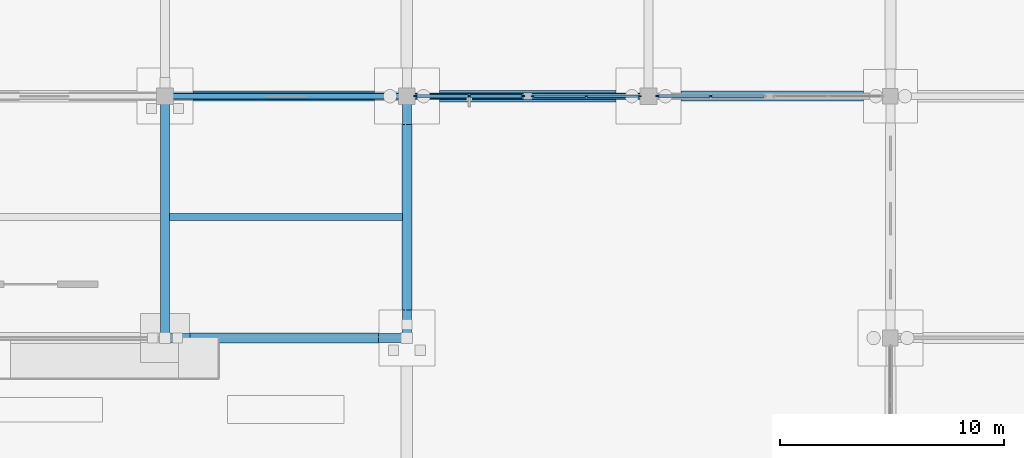
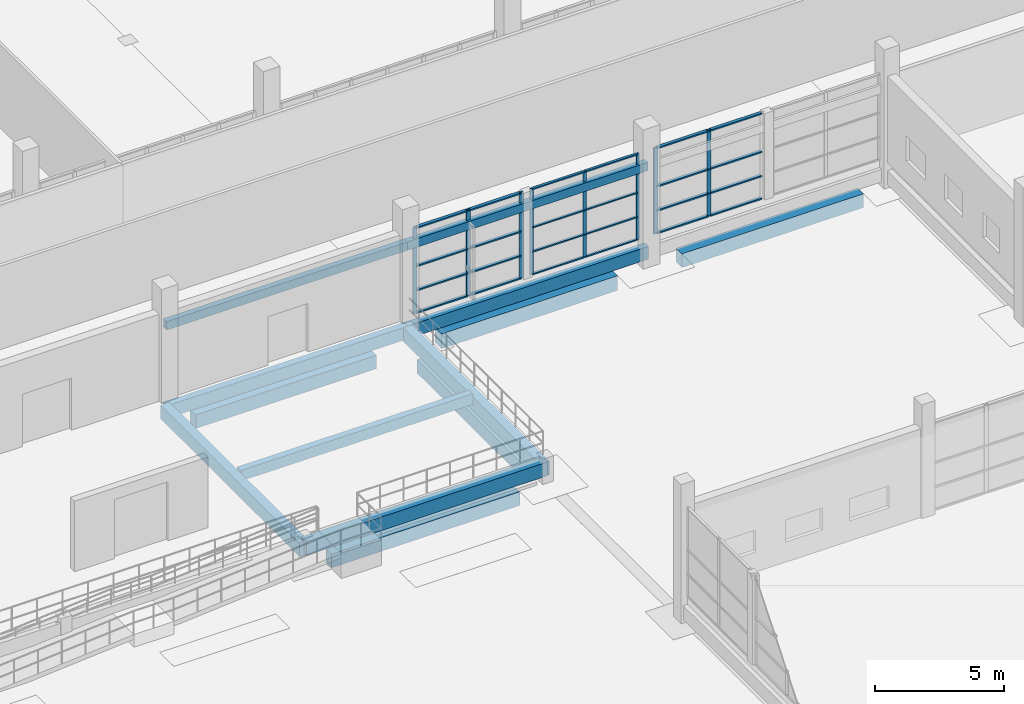
# One storey, part 35 of 138: 32 members, 13 beams, 3 elements without a shape of their own.
"""IFC4 building model written with IfcOpenShell, lengths in metres."""

from ifc_helpers import new_model, si_unit, direction, frame, origin, origin_2d, place, context, subcontext, project, spatial, rectangle, extrude, material, material_profile, profile_set, type_object, element, aggregate, save


model = new_model("IFC4")

# Units and contexts
model_context = context("Model", 3, precision=1e-05, world=origin(), true_north=direction((0.0, 1.0)))
body_context = subcontext(model_context, "Body", "Model", "MODEL_VIEW")
ifc_project = project(units=[si_unit("LENGTHUNIT", "METRE"), si_unit("AREAUNIT", "SQUARE_METRE"), si_unit("VOLUMEUNIT", "CUBIC_METRE"), si_unit("PLANEANGLEUNIT", "RADIAN"), si_unit("MASSUNIT", "GRAM", prefix="KILO")], contexts=[model_context])

# Site, building, storey
site_placement = place(None, origin())
site = spatial("IfcSite", under=ifc_project, at=site_placement, CompositionType="ELEMENT")
building_placement = place(site_placement, origin())
building = spatial("IfcBuilding", under=site, at=building_placement, Name="Zwinboog Wholesale Market", CompositionType="ELEMENT")
storey_placement = place(building_placement, origin())
storey = spatial("IfcBuildingStorey", under=building, at=storey_placement, Name="L00", CompositionType="ELEMENT", Elevation=0.0)

# Beams
ifc_material_1 = material(Name="Precast concrete C45/55", Category="concrete")
ifc_material_profile_1 = material_profile(ifc_material_1, rectangle(XDim=0.39990234375, YDim=0.64990234375, at=origin_2d()), Name="PC 400x650")
ifc_profile_set_1 = profile_set([ifc_material_profile_1], Name="Precast concrete C45/55")
beam_type_1 = type_object("IfcBeamType", Name="BT-05", PredefinedType="BEAM", material=ifc_profile_set_1)
for number, where, z_axis, x_axis, name in (
    (1, (97.199951171875, 32.39990234375, -0.56689453125), (1.0, 0.0, 0.0), (0.0, 1.0, 0.0), "BG-05 (BM-TER-L00-0006)"),
    (2, (97.199951171875, 32.39990234375, -0.680908203125), (0.0, 1.0, 0.0), (-1.0, 0.0, 0.0), "BG-05 (BM-TER-L00-0022)"),
    (3, (108.0, 32.39990234375, -0.705078125), (0.0, 1.0, 0.0), (-1.0, 0.0, 0.0), "BG-05 (BM-TER-L00-0023)"),
):
    element("IfcBeam", number, at=place(storey_placement, frame(where, z_axis=z_axis, x_axis=x_axis)), inside=storey, type_object=beam_type_1, Name=name, PredefinedType="BEAM", context=body_context, shape_type="SweptSolid", body=[
        extrude(rectangle(XDim=0.39990234375, YDim=0.64990234375, at=origin_2d()), origin(), (0.0, 0.0, 1.0), 10.800048828125),
    ])
ifc_material_profile_2 = material_profile(ifc_material_1, rectangle(XDim=0.300048828125, YDim=0.60009765625, at=origin_2d()), Name="PC 300x600")
ifc_profile_set_2 = profile_set([ifc_material_profile_2], Name="Precast concrete C45/55")
beam_type_2 = type_object("IfcBeamType", Name="BT-09", PredefinedType="SPANDREL", material=ifc_profile_set_2)
for number, where, z_axis, x_axis, name in (
    (4, (97.199951171875, 43.199951171875, -0.679931640625), (1.0, 0.0, 0.0), (0.0, 1.0, 0.0), "SP-02 (BMG-L00-0972-0432-0062)"),
    (5, (108.0, 43.199951171875, -0.679931640625), (1.0, 0.0, 0.0), (0.0, 1.0, 0.0), "SP-02 (BMG-L00-1080-0432-0063)"),
):
    element("IfcBeam", number, at=place(storey_placement, frame(where, z_axis=z_axis, x_axis=x_axis)), inside=storey, type_object=beam_type_2, Name=name, PredefinedType="SPANDREL", context=body_context, shape_type="SweptSolid", body=[
        extrude(rectangle(XDim=0.300048828125, YDim=0.60009765625, at=origin_2d()), origin(), (0.0, 0.0, 1.0), 10.800048828125),
    ])
ifc_material_profile_3 = material_profile(ifc_material_1, rectangle(XDim=0.300048828125, YDim=0.5, at=origin_2d()), Name="PC 300x500")
ifc_profile_set_3 = profile_set([ifc_material_profile_3], Name="Precast concrete C45/55")
beam_type_3 = type_object("IfcBeamType", Name="BT-10", PredefinedType="JOIST", material=ifc_profile_set_3)
beam_1_placement = place(storey_placement, frame((97.39990234375, 37.800048828125, -0.491943359375), z_axis=(1.0, 0.0, 0.0), x_axis=(0.0, 1.0, 0.0)))
element("IfcBeam", 6, at=beam_1_placement, inside=storey, type_object=beam_type_3, Name="BJ-01 (BM-TER-L00-0039)", PredefinedType="JOIST", context=body_context, shape_type="SweptSolid", body=[
    extrude(rectangle(XDim=0.300048828125, YDim=0.5, at=origin_2d()), origin(), (0.0, 0.0, 1.0), 10.400146484375),
])
ifc_material_profile_4 = material_profile(ifc_material_1, rectangle(XDim=0.25, YDim=0.39990234375, at=origin_2d()), Name="PC 250x400")
ifc_profile_set_4 = profile_set([ifc_material_profile_4], Name="Precast concrete C45/55")
beam_type_4 = type_object("IfcBeamType", Name="BT-11", PredefinedType="LINTEL", material=ifc_profile_set_4)
for number, where, z_axis, x_axis, name in (
    (7, (97.199951171875, 43.199951171875, 3.39990234375), (1.0, 0.0, 0.0), (0.0, 1.0, 0.0), "BL-01 (BMG-L00-0972-0432-1054)"),
    (8, (108.0, 43.199951171875, 3.39990234375), (1.0, 0.0, 0.0), (0.0, 1.0, 0.0), "BL-01 (BMG-L00-1080-0432-1055)"),
):
    element("IfcBeam", number, at=place(storey_placement, frame(where, z_axis=z_axis, x_axis=x_axis)), inside=storey, type_object=beam_type_4, Name=name, PredefinedType="LINTEL", context=body_context, shape_type="SweptSolid", body=[
        extrude(rectangle(XDim=0.25, YDim=0.39990234375, at=origin_2d()), origin(), (0.0, 0.0, 1.0), 10.800048828125),
    ])
ifc_material_2 = material(Name="Concrete C35/45", Category="concrete")
ifc_material_profile_5 = material_profile(ifc_material_2, rectangle(XDim=0.5, YDim=0.699951171875, at=origin_2d()), Name="RC 500x700")
ifc_profile_set_5 = profile_set([ifc_material_profile_5], Name="Concrete C35/45")
beam_type_5 = type_object("IfcBeamType", Name="BT-12", PredefinedType="USERDEFINED", material=ifc_profile_set_5)
beam_2_placement = place(storey_placement, frame((109.455078125, 43.199951171875, -1.550048828125), z_axis=(1.0, 0.0, 0.0), x_axis=(0.0, 1.0, 0.0)))
element("IfcBeam", 9, at=beam_2_placement, inside=storey, type_object=beam_type_5, Name="GB-01 (BM-GB-0043)", ObjectType="GROUND_BEAM", PredefinedType="USERDEFINED", context=body_context, shape_type="SweptSolid", body=[
    extrude(rectangle(XDim=0.5, YDim=0.699951171875, at=origin_2d()), origin(), (0.0, 0.0, 1.0), 7.889892578125),
])
ifc_material_profile_6 = material_profile(ifc_material_2, rectangle(XDim=0.449951171875, YDim=0.64990234375, at=origin_2d()), Name="RC 450x650")
ifc_profile_set_6 = profile_set([ifc_material_profile_6], Name="Concrete C35/45")
beam_type_6 = type_object("IfcBeamType", Name="BT-13", PredefinedType="USERDEFINED", material=ifc_profile_set_6)
beam_3_placement = place(storey_placement, frame((98.304931640625, 32.39990234375, -1.52490234375), z_axis=(1.0, 0.0, 0.0), x_axis=(0.0, 1.0, 0.0)))
element("IfcBeam", 10, at=beam_3_placement, inside=storey, type_object=beam_type_6, Name="GB-02 (BM-GB-0024)", ObjectType="GROUND_BEAM", PredefinedType="USERDEFINED", context=body_context, shape_type="SweptSolid", body=[
    extrude(rectangle(XDim=0.449951171875, YDim=0.64990234375, at=origin_2d()), origin(), (0.0, 0.0, 1.0), 8.440185546875),
])
beam_4_placement = place(storey_placement, frame((98.455078125, 43.199951171875, -1.52490234375), z_axis=(1.0, 0.0, 0.0), x_axis=(0.0, 1.0, 0.0)))
element("IfcBeam", 11, at=beam_4_placement, inside=storey, type_object=beam_type_6, Name="GB-02 (BM-GB-0042)", ObjectType="GROUND_BEAM", PredefinedType="USERDEFINED", context=body_context, shape_type="SweptSolid", body=[
    extrude(rectangle(XDim=0.449951171875, YDim=0.64990234375, at=origin_2d()), origin(), (0.0, 0.0, 1.0), 8.08984375),
])
beam_5_placement = place(storey_placement, frame((120.2548828125, 43.199951171875, -1.52490234375), z_axis=(1.0, 0.0, 0.0), x_axis=(0.0, 1.0, 0.0)))
element("IfcBeam", 12, at=beam_5_placement, inside=storey, type_object=beam_type_6, Name="GB-02 (BM-GB-0044)", ObjectType="GROUND_BEAM", PredefinedType="USERDEFINED", context=body_context, shape_type="SweptSolid", body=[
    extrude(rectangle(XDim=0.449951171875, YDim=0.64990234375, at=origin_2d()), origin(), (0.0, 0.0, 1.0), 8.14013671875),
])
beam_6_placement = place(storey_placement, frame((108.0, 33.655029296875, -1.52490234375), z_axis=(0.0, 1.0, 0.0), x_axis=(-1.0, 0.0, 0.0)))
element("IfcBeam", 13, at=beam_6_placement, inside=storey, type_object=beam_type_6, Name="GB-02 (BM-GB-0163)", ObjectType="GROUND_BEAM", PredefinedType="USERDEFINED", context=body_context, shape_type="SweptSolid", body=[
    extrude(rectangle(XDim=0.449951171875, YDim=0.64990234375, at=origin_2d()), origin(), (0.0, 0.0, 1.0), 8.2900390625),
])

# Curtain wall, members
ifc_material_3 = material(Name="Aluminium thermally broken curtain wall", Category="aluminium")
curtain_wall_type_1 = type_object("IfcCurtainWallType", Name="CWT-HALL-24", PredefinedType="USERDEFINED", material=ifc_material_3)
curtain_wall_1_placement = place(storey_placement, origin())
curtain_wall_1 = element("IfcCurtainWall", 14, at=curtain_wall_1_placement, inside=storey, type_object=curtain_wall_type_1, Name="CW-03 (CW-L00-039)", ObjectType="UNITIZED_CURTAIN_WALL", PredefinedType="USERDEFINED")
ifc_material_4 = material(Name="Aluminium EN AW-6060", Category="aluminium")
ifc_material_profile_7 = material_profile(ifc_material_4, rectangle(XDim=0.06494140625, YDim=0.179931640625, at=origin_2d()), Name="AL 65x180")
ifc_profile_set_7 = profile_set([ifc_material_profile_7], Name="Aluminium EN AW-6060")
member_type_1 = type_object("IfcMemberType", Name="CWM-65x180", PredefinedType="MULLION", material=ifc_profile_set_7)
member_1_placement = place(storey_placement, frame((108.402587890625, 43.199951171875, 0.0), z_axis=(0.0, 0.0, 1.0), x_axis=(0.0, 1.0, 0.0)))
member_1 = element("IfcMember", 15, at=member_1_placement, type_object=member_type_1, Name="CW-03 mullion 1", PredefinedType="MULLION", context=body_context, shape_type="SweptSolid", body=[
    extrude(rectangle(XDim=0.06494140625, YDim=0.179931640625, at=origin_2d()), origin(), (0.0, 0.0, 1.0), 4.097900390625),
])
member_2_placement = place(storey_placement, frame((110.784912109375, 43.199951171875, 0.0), z_axis=(0.0, 0.0, 1.0), x_axis=(0.0, 1.0, 0.0)))
member_2 = element("IfcMember", 16, at=member_2_placement, type_object=member_type_1, Name="CW-03 mullion 2", PredefinedType="MULLION", context=body_context, shape_type="SweptSolid", body=[
    extrude(rectangle(XDim=0.06494140625, YDim=0.179931640625, at=origin_2d()), origin(), (0.0, 0.0, 1.0), 4.097900390625),
])
member_3_placement = place(storey_placement, frame((113.16748046875, 43.199951171875, 0.0), z_axis=(0.0, 0.0, 1.0), x_axis=(0.0, 1.0, 0.0)))
member_3 = element("IfcMember", 17, at=member_3_placement, type_object=member_type_1, Name="CW-03 mullion 3", PredefinedType="MULLION", context=body_context, shape_type="SweptSolid", body=[
    extrude(rectangle(XDim=0.06494140625, YDim=0.179931640625, at=origin_2d()), origin(), (0.0, 0.0, 1.0), 4.097900390625),
])

curtain_wall_type_2 = type_object("IfcCurtainWallType", Name="CWT-STALL-18", PredefinedType="USERDEFINED", material=ifc_material_3)
curtain_wall_2_placement = place(storey_placement, origin())
curtain_wall_2 = element("IfcCurtainWall", 18, at=curtain_wall_2_placement, inside=storey, type_object=curtain_wall_type_2, Name="CW-01 (CW-L00-043)", ObjectType="STOREFRONT_GLAZING", PredefinedType="USERDEFINED")
member_4_placement = place(storey_placement, frame((119.202392578125, 43.199951171875, 0.0), z_axis=(0.0, 0.0, 1.0), x_axis=(0.0, 1.0, 0.0)))
member_4 = element("IfcMember", 19, at=member_4_placement, type_object=member_type_1, Name="CW-01 mullion 1", PredefinedType="MULLION", context=body_context, shape_type="SweptSolid", body=[
    extrude(rectangle(XDim=0.06494140625, YDim=0.179931640625, at=origin_2d()), origin(), (0.0, 0.0, 1.0), 4.097900390625),
])
member_5_placement = place(storey_placement, frame((121.5849609375, 43.199951171875, 0.0), z_axis=(0.0, 0.0, 1.0), x_axis=(0.0, 1.0, 0.0)))
member_5 = element("IfcMember", 20, at=member_5_placement, type_object=member_type_1, Name="CW-01 mullion 2", PredefinedType="MULLION", context=body_context, shape_type="SweptSolid", body=[
    extrude(rectangle(XDim=0.06494140625, YDim=0.179931640625, at=origin_2d()), origin(), (0.0, 0.0, 1.0), 4.097900390625),
])

curtain_wall_type_3 = type_object("IfcCurtainWallType", Name="CWT-GAL-16", PredefinedType="USERDEFINED", material=ifc_material_3)
curtain_wall_3_placement = place(storey_placement, origin())
curtain_wall_3 = element("IfcCurtainWall", 21, at=curtain_wall_3_placement, inside=storey, type_object=curtain_wall_type_3, Name="CW-04 (CW-L00-040)", ObjectType="UNITIZED_CURTAIN_WALL", PredefinedType="USERDEFINED")
ifc_material_profile_8 = material_profile(ifc_material_4, rectangle(XDim=0.06005859375, YDim=0.14990234375, at=origin_2d()), Name="AL 60x150")
ifc_profile_set_8 = profile_set([ifc_material_profile_8], Name="Aluminium EN AW-6060")
member_type_2 = type_object("IfcMemberType", Name="CWM-60x150", PredefinedType="MULLION", material=ifc_profile_set_8)
member_6_placement = place(storey_placement, frame((113.6298828125, 43.199951171875, 0.0), z_axis=(0.0, 0.0, 1.0), x_axis=(0.0, 1.0, 0.0)))
member_6 = element("IfcMember", 22, at=member_6_placement, type_object=member_type_2, Name="CW-04 mullion 1", PredefinedType="MULLION", context=body_context, shape_type="SweptSolid", body=[
    extrude(rectangle(XDim=0.06005859375, YDim=0.14990234375, at=origin_2d()), origin(), (0.0, 0.0, 1.0), 4.097900390625),
])
member_7_placement = place(storey_placement, frame((116.014892578125, 43.199951171875, 0.0), z_axis=(0.0, 0.0, 1.0), x_axis=(0.0, 1.0, 0.0)))
member_7 = element("IfcMember", 23, at=member_7_placement, type_object=member_type_2, Name="CW-04 mullion 2", PredefinedType="MULLION", context=body_context, shape_type="SweptSolid", body=[
    extrude(rectangle(XDim=0.06005859375, YDim=0.14990234375, at=origin_2d()), origin(), (0.0, 0.0, 1.0), 4.097900390625),
])
member_8_placement = place(storey_placement, frame((118.39990234375, 43.199951171875, 0.0), z_axis=(0.0, 0.0, 1.0), x_axis=(0.0, 1.0, 0.0)))
member_8 = element("IfcMember", 24, at=member_8_placement, type_object=member_type_2, Name="CW-04 mullion 3", PredefinedType="MULLION", context=body_context, shape_type="SweptSolid", body=[
    extrude(rectangle(XDim=0.06005859375, YDim=0.14990234375, at=origin_2d()), origin(), (0.0, 0.0, 1.0), 4.097900390625),
])

# Member
ifc_material_profile_9 = material_profile(ifc_material_4, rectangle(XDim=0.139892578125, YDim=0.06494140625, at=origin_2d()), Name="AL 65x140")
ifc_profile_set_9 = profile_set([ifc_material_profile_9], Name="Aluminium EN AW-6060")
member_type_3 = type_object("IfcMemberType", Name="CWT-65x140", PredefinedType="USERDEFINED", material=ifc_profile_set_9)
member_9_placement = place(storey_placement, frame((108.43505859375, 43.199951171875, 0.032470703125), z_axis=(1.0, 0.0, 0.0), x_axis=(0.0, 1.0, 0.0)))
member_9 = element("IfcMember", 25, at=member_9_placement, type_object=member_type_3, Name="CW-03 transom 1.1", ObjectType="TRANSOM", PredefinedType="USERDEFINED", context=body_context, shape_type="SweptSolid", body=[
    extrude(rectangle(XDim=0.139892578125, YDim=0.06494140625, at=origin_2d()), origin(), (0.0, 0.0, 1.0), 2.3173828125),
])

member_10_placement = place(storey_placement, frame((108.43505859375, 43.199951171875, 1.10009765625), z_axis=(1.0, 0.0, 0.0), x_axis=(0.0, 1.0, 0.0)))
member_10 = element("IfcMember", 26, at=member_10_placement, type_object=member_type_3, Name="CW-03 transom 1.2", ObjectType="TRANSOM", PredefinedType="USERDEFINED", context=body_context, shape_type="SweptSolid", body=[
    extrude(rectangle(XDim=0.139892578125, YDim=0.06494140625, at=origin_2d()), origin(), (0.0, 0.0, 1.0), 2.3173828125),
])

member_11_placement = place(storey_placement, frame((108.43505859375, 43.199951171875, 2.25), z_axis=(1.0, 0.0, 0.0), x_axis=(0.0, 1.0, 0.0)))
member_11 = element("IfcMember", 27, at=member_11_placement, type_object=member_type_3, Name="CW-03 transom 1.3", ObjectType="TRANSOM", PredefinedType="USERDEFINED", context=body_context, shape_type="SweptSolid", body=[
    extrude(rectangle(XDim=0.139892578125, YDim=0.06494140625, at=origin_2d()), origin(), (0.0, 0.0, 1.0), 2.3173828125),
])

member_12_placement = place(storey_placement, frame((108.43505859375, 43.199951171875, 4.0654296875), z_axis=(1.0, 0.0, 0.0), x_axis=(0.0, 1.0, 0.0)))
member_12 = element("IfcMember", 28, at=member_12_placement, type_object=member_type_3, Name="CW-03 transom 1.4", ObjectType="TRANSOM", PredefinedType="USERDEFINED", context=body_context, shape_type="SweptSolid", body=[
    extrude(rectangle(XDim=0.139892578125, YDim=0.06494140625, at=origin_2d()), origin(), (0.0, 0.0, 1.0), 2.3173828125),
])

member_13_placement = place(storey_placement, frame((110.8173828125, 43.199951171875, 0.032470703125), z_axis=(1.0, 0.0, 0.0), x_axis=(0.0, 1.0, 0.0)))
member_13 = element("IfcMember", 29, at=member_13_placement, type_object=member_type_3, Name="CW-03 transom 2.1", ObjectType="TRANSOM", PredefinedType="USERDEFINED", context=body_context, shape_type="SweptSolid", body=[
    extrude(rectangle(XDim=0.139892578125, YDim=0.06494140625, at=origin_2d()), origin(), (0.0, 0.0, 1.0), 2.317626953125),
])

member_14_placement = place(storey_placement, frame((110.8173828125, 43.199951171875, 1.10009765625), z_axis=(1.0, 0.0, 0.0), x_axis=(0.0, 1.0, 0.0)))
member_14 = element("IfcMember", 30, at=member_14_placement, type_object=member_type_3, Name="CW-03 transom 2.2", ObjectType="TRANSOM", PredefinedType="USERDEFINED", context=body_context, shape_type="SweptSolid", body=[
    extrude(rectangle(XDim=0.139892578125, YDim=0.06494140625, at=origin_2d()), origin(), (0.0, 0.0, 1.0), 2.317626953125),
])

member_15_placement = place(storey_placement, frame((110.8173828125, 43.199951171875, 2.25), z_axis=(1.0, 0.0, 0.0), x_axis=(0.0, 1.0, 0.0)))
member_15 = element("IfcMember", 31, at=member_15_placement, type_object=member_type_3, Name="CW-03 transom 2.3", ObjectType="TRANSOM", PredefinedType="USERDEFINED", context=body_context, shape_type="SweptSolid", body=[
    extrude(rectangle(XDim=0.139892578125, YDim=0.06494140625, at=origin_2d()), origin(), (0.0, 0.0, 1.0), 2.317626953125),
])

member_16_placement = place(storey_placement, frame((110.8173828125, 43.199951171875, 4.0654296875), z_axis=(1.0, 0.0, 0.0), x_axis=(0.0, 1.0, 0.0)))
member_16 = element("IfcMember", 32, at=member_16_placement, type_object=member_type_3, Name="CW-03 transom 2.4", ObjectType="TRANSOM", PredefinedType="USERDEFINED", context=body_context, shape_type="SweptSolid", body=[
    extrude(rectangle(XDim=0.139892578125, YDim=0.06494140625, at=origin_2d()), origin(), (0.0, 0.0, 1.0), 2.317626953125),
])

aggregate(curtain_wall_1, [member_1, member_2, member_3, member_9, member_10, member_11, member_12, member_13, member_14, member_15, member_16])

member_17_placement = place(storey_placement, frame((119.235107421875, 43.199951171875, 0.032470703125), z_axis=(1.0, 0.0, 0.0), x_axis=(0.0, 1.0, 0.0)))
member_17 = element("IfcMember", 33, at=member_17_placement, type_object=member_type_3, Name="CW-01 transom 1.1", ObjectType="TRANSOM", PredefinedType="USERDEFINED", context=body_context, shape_type="SweptSolid", body=[
    extrude(rectangle(XDim=0.139892578125, YDim=0.06494140625, at=origin_2d()), origin(), (0.0, 0.0, 1.0), 2.3173828125),
])

member_18_placement = place(storey_placement, frame((119.235107421875, 43.199951171875, 1.10009765625), z_axis=(1.0, 0.0, 0.0), x_axis=(0.0, 1.0, 0.0)))
member_18 = element("IfcMember", 34, at=member_18_placement, type_object=member_type_3, Name="CW-01 transom 1.2", ObjectType="TRANSOM", PredefinedType="USERDEFINED", context=body_context, shape_type="SweptSolid", body=[
    extrude(rectangle(XDim=0.139892578125, YDim=0.06494140625, at=origin_2d()), origin(), (0.0, 0.0, 1.0), 2.3173828125),
])

member_19_placement = place(storey_placement, frame((119.235107421875, 43.199951171875, 2.25), z_axis=(1.0, 0.0, 0.0), x_axis=(0.0, 1.0, 0.0)))
member_19 = element("IfcMember", 35, at=member_19_placement, type_object=member_type_3, Name="CW-01 transom 1.3", ObjectType="TRANSOM", PredefinedType="USERDEFINED", context=body_context, shape_type="SweptSolid", body=[
    extrude(rectangle(XDim=0.139892578125, YDim=0.06494140625, at=origin_2d()), origin(), (0.0, 0.0, 1.0), 2.3173828125),
])

member_20_placement = place(storey_placement, frame((119.235107421875, 43.199951171875, 4.0654296875), z_axis=(1.0, 0.0, 0.0), x_axis=(0.0, 1.0, 0.0)))
member_20 = element("IfcMember", 36, at=member_20_placement, type_object=member_type_3, Name="CW-01 transom 1.4", ObjectType="TRANSOM", PredefinedType="USERDEFINED", context=body_context, shape_type="SweptSolid", body=[
    extrude(rectangle(XDim=0.139892578125, YDim=0.06494140625, at=origin_2d()), origin(), (0.0, 0.0, 1.0), 2.3173828125),
])

member_21_placement = place(storey_placement, frame((121.617431640625, 43.199951171875, 0.032470703125), z_axis=(1.0, 0.0, 0.0), x_axis=(0.0, 1.0, 0.0)))
member_21 = element("IfcMember", 37, at=member_21_placement, type_object=member_type_3, Name="CW-01 transom 2.1", ObjectType="TRANSOM", PredefinedType="USERDEFINED", context=body_context, shape_type="SweptSolid", body=[
    extrude(rectangle(XDim=0.139892578125, YDim=0.06494140625, at=origin_2d()), origin(), (0.0, 0.0, 1.0), 2.317626953125),
])

member_22_placement = place(storey_placement, frame((121.617431640625, 43.199951171875, 1.10009765625), z_axis=(1.0, 0.0, 0.0), x_axis=(0.0, 1.0, 0.0)))
member_22 = element("IfcMember", 38, at=member_22_placement, type_object=member_type_3, Name="CW-01 transom 2.2", ObjectType="TRANSOM", PredefinedType="USERDEFINED", context=body_context, shape_type="SweptSolid", body=[
    extrude(rectangle(XDim=0.139892578125, YDim=0.06494140625, at=origin_2d()), origin(), (0.0, 0.0, 1.0), 2.317626953125),
])

member_23_placement = place(storey_placement, frame((121.617431640625, 43.199951171875, 2.25), z_axis=(1.0, 0.0, 0.0), x_axis=(0.0, 1.0, 0.0)))
member_23 = element("IfcMember", 39, at=member_23_placement, type_object=member_type_3, Name="CW-01 transom 2.3", ObjectType="TRANSOM", PredefinedType="USERDEFINED", context=body_context, shape_type="SweptSolid", body=[
    extrude(rectangle(XDim=0.139892578125, YDim=0.06494140625, at=origin_2d()), origin(), (0.0, 0.0, 1.0), 2.317626953125),
])

member_24_placement = place(storey_placement, frame((121.617431640625, 43.199951171875, 4.0654296875), z_axis=(1.0, 0.0, 0.0), x_axis=(0.0, 1.0, 0.0)))
member_24 = element("IfcMember", 40, at=member_24_placement, type_object=member_type_3, Name="CW-01 transom 2.4", ObjectType="TRANSOM", PredefinedType="USERDEFINED", context=body_context, shape_type="SweptSolid", body=[
    extrude(rectangle(XDim=0.139892578125, YDim=0.06494140625, at=origin_2d()), origin(), (0.0, 0.0, 1.0), 2.317626953125),
])

aggregate(curtain_wall_2, [member_4, member_5, member_17, member_18, member_19, member_20, member_21, member_22, member_23, member_24])

ifc_material_profile_10 = material_profile(ifc_material_4, rectangle(XDim=0.110107421875, YDim=0.06005859375, at=origin_2d()), Name="AL 60x110")
ifc_profile_set_10 = profile_set([ifc_material_profile_10], Name="Aluminium EN AW-6060")
member_type_4 = type_object("IfcMemberType", Name="CWT-60x110", PredefinedType="USERDEFINED", material=ifc_profile_set_10)
member_25_placement = place(storey_placement, frame((113.659912109375, 43.199951171875, 0.030029296875), z_axis=(1.0, 0.0, 0.0), x_axis=(0.0, 1.0, 0.0)))
member_25 = element("IfcMember", 41, at=member_25_placement, type_object=member_type_4, Name="CW-04 transom 1.1", ObjectType="TRANSOM", PredefinedType="USERDEFINED", context=body_context, shape_type="SweptSolid", body=[
    extrude(rectangle(XDim=0.110107421875, YDim=0.06005859375, at=origin_2d()), origin(), (0.0, 0.0, 1.0), 2.3251953125),
])

member_26_placement = place(storey_placement, frame((113.659912109375, 43.199951171875, 1.10009765625), z_axis=(1.0, 0.0, 0.0), x_axis=(0.0, 1.0, 0.0)))
member_26 = element("IfcMember", 42, at=member_26_placement, type_object=member_type_4, Name="CW-04 transom 1.2", ObjectType="TRANSOM", PredefinedType="USERDEFINED", context=body_context, shape_type="SweptSolid", body=[
    extrude(rectangle(XDim=0.110107421875, YDim=0.06005859375, at=origin_2d()), origin(), (0.0, 0.0, 1.0), 2.3251953125),
])

member_27_placement = place(storey_placement, frame((113.659912109375, 43.199951171875, 2.25), z_axis=(1.0, 0.0, 0.0), x_axis=(0.0, 1.0, 0.0)))
member_27 = element("IfcMember", 43, at=member_27_placement, type_object=member_type_4, Name="CW-04 transom 1.3", ObjectType="TRANSOM", PredefinedType="USERDEFINED", context=body_context, shape_type="SweptSolid", body=[
    extrude(rectangle(XDim=0.110107421875, YDim=0.06005859375, at=origin_2d()), origin(), (0.0, 0.0, 1.0), 2.3251953125),
])

member_28_placement = place(storey_placement, frame((113.659912109375, 43.199951171875, 4.068115234375), z_axis=(1.0, 0.0, 0.0), x_axis=(0.0, 1.0, 0.0)))
member_28 = element("IfcMember", 44, at=member_28_placement, type_object=member_type_4, Name="CW-04 transom 1.4", ObjectType="TRANSOM", PredefinedType="USERDEFINED", context=body_context, shape_type="SweptSolid", body=[
    extrude(rectangle(XDim=0.110107421875, YDim=0.06005859375, at=origin_2d()), origin(), (0.0, 0.0, 1.0), 2.3251953125),
])

member_29_placement = place(storey_placement, frame((116.044921875, 43.199951171875, 0.030029296875), z_axis=(1.0, 0.0, 0.0), x_axis=(0.0, 1.0, 0.0)))
member_29 = element("IfcMember", 45, at=member_29_placement, type_object=member_type_4, Name="CW-04 transom 2.1", ObjectType="TRANSOM", PredefinedType="USERDEFINED", context=body_context, shape_type="SweptSolid", body=[
    extrude(rectangle(XDim=0.110107421875, YDim=0.06005859375, at=origin_2d()), origin(), (0.0, 0.0, 1.0), 2.3251953125),
])

member_30_placement = place(storey_placement, frame((116.044921875, 43.199951171875, 1.10009765625), z_axis=(1.0, 0.0, 0.0), x_axis=(0.0, 1.0, 0.0)))
member_30 = element("IfcMember", 46, at=member_30_placement, type_object=member_type_4, Name="CW-04 transom 2.2", ObjectType="TRANSOM", PredefinedType="USERDEFINED", context=body_context, shape_type="SweptSolid", body=[
    extrude(rectangle(XDim=0.110107421875, YDim=0.06005859375, at=origin_2d()), origin(), (0.0, 0.0, 1.0), 2.3251953125),
])

member_31_placement = place(storey_placement, frame((116.044921875, 43.199951171875, 2.25), z_axis=(1.0, 0.0, 0.0), x_axis=(0.0, 1.0, 0.0)))
member_31 = element("IfcMember", 47, at=member_31_placement, type_object=member_type_4, Name="CW-04 transom 2.3", ObjectType="TRANSOM", PredefinedType="USERDEFINED", context=body_context, shape_type="SweptSolid", body=[
    extrude(rectangle(XDim=0.110107421875, YDim=0.06005859375, at=origin_2d()), origin(), (0.0, 0.0, 1.0), 2.3251953125),
])

member_32_placement = place(storey_placement, frame((116.044921875, 43.199951171875, 4.068115234375), z_axis=(1.0, 0.0, 0.0), x_axis=(0.0, 1.0, 0.0)))
member_32 = element("IfcMember", 48, at=member_32_placement, type_object=member_type_4, Name="CW-04 transom 2.4", ObjectType="TRANSOM", PredefinedType="USERDEFINED", context=body_context, shape_type="SweptSolid", body=[
    extrude(rectangle(XDim=0.110107421875, YDim=0.06005859375, at=origin_2d()), origin(), (0.0, 0.0, 1.0), 2.3251953125),
])

aggregate(curtain_wall_3, [member_6, member_7, member_8, member_25, member_26, member_27, member_28, member_29, member_30, member_31, member_32])

save(model, "model.ifc")
